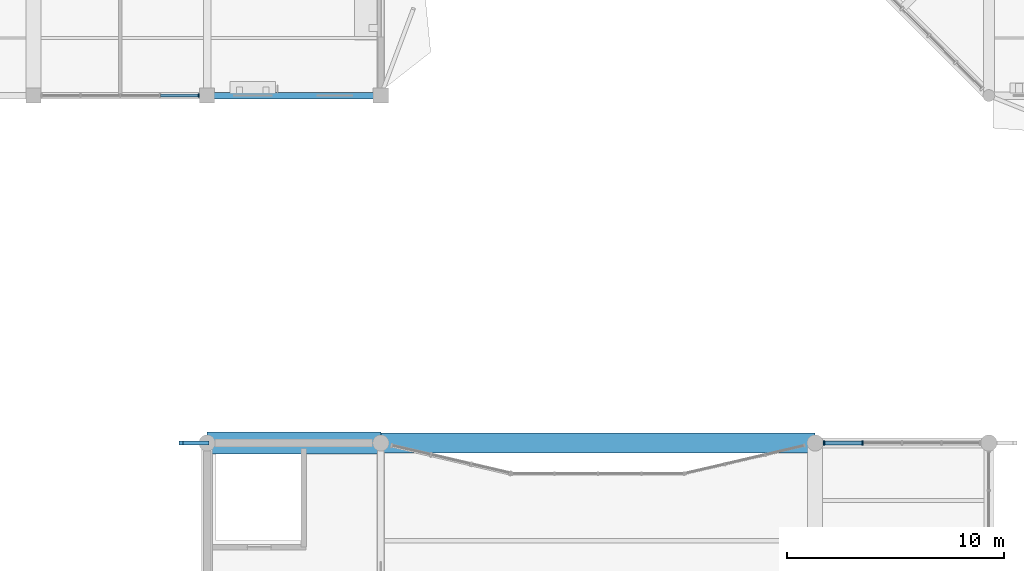
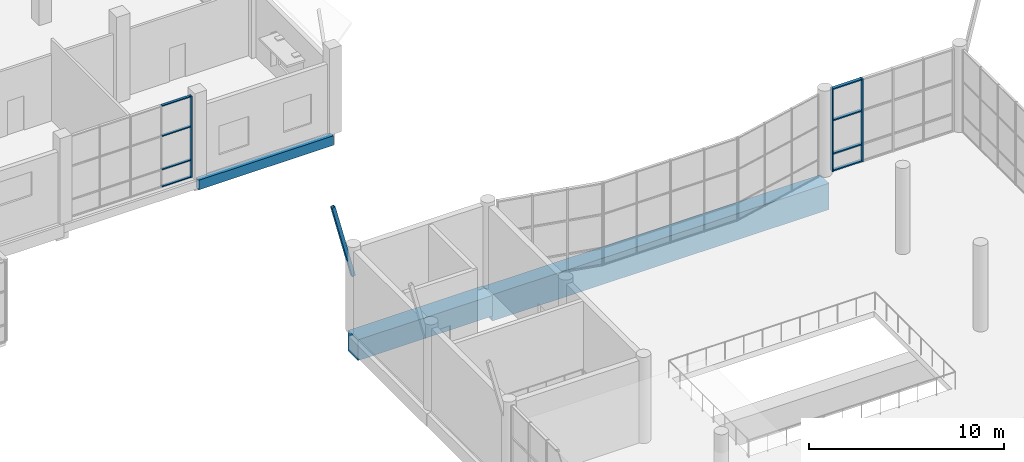
# One storey, part 40 of 122: 12 members, 3 beams, 2 elements without a shape of their own.
"""IFC4 building model written with IfcOpenShell, lengths in metres."""

from ifc_helpers import new_model, si_unit, direction, frame, origin, origin_2d, place, context, subcontext, project, spatial, rectangle, hollow_rectangle, extrude, material, material_profile, profile_set, type_object, element, aggregate, save


model = new_model("IFC4")

# Units and contexts
model_context = context("Model", 3, precision=1e-05, world=origin(), true_north=direction((0.0, 1.0)))
body_context = subcontext(model_context, "Body", "Model", "MODEL_VIEW")
ifc_project = project(units=[si_unit("LENGTHUNIT", "METRE"), si_unit("AREAUNIT", "SQUARE_METRE"), si_unit("VOLUMEUNIT", "CUBIC_METRE"), si_unit("PLANEANGLEUNIT", "RADIAN"), si_unit("MASSUNIT", "GRAM", prefix="KILO")], contexts=[model_context])

# Site, building, storey
site_placement = place(None, origin())
site = spatial("IfcSite", under=ifc_project, at=site_placement, CompositionType="ELEMENT")
building_placement = place(site_placement, origin())
building = spatial("IfcBuilding", under=site, at=building_placement, Name="Tenunan Teduh Sports Hall", CompositionType="ELEMENT")
storey_placement = place(building_placement, frame((0.0, 0.0, 5.39990234375)))
storey = spatial("IfcBuildingStorey", under=building, at=storey_placement, Name="L01", CompositionType="ELEMENT", Elevation=5.39990234375)

# Beam
ifc_material_1 = material(Name="Concrete C40/50", Category="concrete")
ifc_material_profile_1 = material_profile(ifc_material_1, rectangle(XDim=0.300048828125, YDim=0.60009765625, at=origin_2d()), Name="RCB 300x600")
ifc_profile_set_1 = profile_set([ifc_material_profile_1], Name="Concrete C40/50")
beam_type_1 = type_object("IfcBeamType", Name="BM-RC-300x600", PredefinedType="BEAM", material=ifc_profile_set_1)
beam_1_placement = place(storey_placement, frame((70.0, 86.0, -0.559814453125), z_axis=(1.0, 0.0, 0.0), x_axis=(0.0, 1.0, 0.0)))
element("IfcBeam", 1, at=beam_1_placement, inside=storey, type_object=beam_type_1, Name="BM-B-03-L01-1113", PredefinedType="BEAM", context=body_context, shape_type="SweptSolid", body=[
    extrude(rectangle(XDim=0.300048828125, YDim=0.60009765625, at=origin_2d()), origin(), (0.0, 0.0, 1.0), 8.0),
])

# Curtain wall, member
ifc_material_2 = material(Name="Anodised aluminium", Category="aluminium")
curtain_wall_type = type_object("IfcCurtainWallType", Name="CW-UNIT-1", PredefinedType="NOTDEFINED", material=ifc_material_2)
curtain_wall_1_placement = place(storey_placement, origin())
curtain_wall_1 = element("IfcCurtainWall", 2, at=curtain_wall_1_placement, inside=storey, type_object=curtain_wall_type, Name="CW-CWM-175-L01-202", PredefinedType="NOTDEFINED")
ifc_material_3 = material(Name="Anodised aluminium", Category="aluminium")
ifc_material_profile_2 = material_profile(ifc_material_3, rectangle(XDim=0.06494140625, YDim=0.175048828125, at=origin_2d()), Name="CWM 65x175")
ifc_profile_set_2 = profile_set([ifc_material_profile_2], Name="Anodised aluminium")
member_type_1 = type_object("IfcMemberType", Name="CWM-175", PredefinedType="MULLION", material=ifc_profile_set_2)
member_1_placement = place(storey_placement, frame((69.617431640625, 86.0, 0.0), z_axis=(0.0, 0.0, 1.0), x_axis=(1.0, 0.0, 0.0)))
member_1 = element("IfcMember", 3, at=member_1_placement, type_object=member_type_1, Name="CW-01 mullion 5", PredefinedType="MULLION", context=body_context, shape_type="SweptSolid", body=[
    extrude(rectangle(XDim=0.06494140625, YDim=0.175048828125, at=origin_2d()), origin(), (0.0, 0.0, 1.0), 5.1201171875),
])

# Curtain wall, members
curtain_wall_2_placement = place(storey_placement, origin())
curtain_wall_2 = element("IfcCurtainWall", 4, at=curtain_wall_2_placement, inside=storey, type_object=curtain_wall_type, Name="CW-CWM-220-L01-165", PredefinedType="NOTDEFINED")
ifc_material_4 = material(Name="Anodised aluminium", Category="aluminium")
ifc_material_profile_3 = material_profile(ifc_material_4, rectangle(XDim=0.074951171875, YDim=0.219970703125, at=origin_2d()), Name="CWM 75x220")
ifc_profile_set_3 = profile_set([ifc_material_profile_3], Name="Anodised aluminium")
member_type_2 = type_object("IfcMemberType", Name="CWM-220", PredefinedType="MULLION", material=ifc_profile_set_3)
member_2_placement = place(storey_placement, frame((98.41259765625, 70.0, 0.0), z_axis=(0.0, 0.0, 1.0), x_axis=(1.0, 0.0, 0.0)))
member_2 = element("IfcMember", 5, at=member_2_placement, type_object=member_type_2, Name="CW-01 mullion 1", PredefinedType="MULLION", context=body_context, shape_type="SweptSolid", body=[
    extrude(rectangle(XDim=0.074951171875, YDim=0.219970703125, at=origin_2d()), origin(), (0.0, 0.0, 1.0), 5.2001953125),
])
member_3_placement = place(storey_placement, frame((100.1875, 70.0, 0.0), z_axis=(0.0, 0.0, 1.0), x_axis=(1.0, 0.0, 0.0)))
member_3 = element("IfcMember", 6, at=member_3_placement, type_object=member_type_2, Name="CW-01 mullion 2", PredefinedType="MULLION", context=body_context, shape_type="SweptSolid", body=[
    extrude(rectangle(XDim=0.074951171875, YDim=0.219970703125, at=origin_2d()), origin(), (0.0, 0.0, 1.0), 5.2001953125),
])

# Member
ifc_material_5 = material(Name="Anodised aluminium", Category="aluminium")
ifc_material_profile_4 = material_profile(ifc_material_5, rectangle(XDim=0.06494140625, YDim=0.139892578125, at=origin_2d()), Name="CWT 65x140")
ifc_profile_set_4 = profile_set([ifc_material_profile_4], Name="Anodised aluminium")
member_type_3 = type_object("IfcMemberType", Name="CWT-150", PredefinedType="USERDEFINED", material=ifc_profile_set_4)
member_4_placement = place(storey_placement, frame((67.857421875, 86.0, 0.03271484375), z_axis=(1.0, 0.0, 0.0), x_axis=(0.0, 0.0, 1.0)))
member_4 = element("IfcMember", 7, at=member_4_placement, type_object=member_type_3, Name="CW-01 transom 4.1", ObjectType="TRANSOM", PredefinedType="USERDEFINED", context=body_context, shape_type="SweptSolid", body=[
    extrude(rectangle(XDim=0.06494140625, YDim=0.139892578125, at=origin_2d()), origin(), (0.0, 0.0, 1.0), 1.7275390625),
])

member_5_placement = place(storey_placement, frame((67.857421875, 86.0, 1.10009765625), z_axis=(1.0, 0.0, 0.0), x_axis=(0.0, 0.0, 1.0)))
member_5 = element("IfcMember", 8, at=member_5_placement, type_object=member_type_3, Name="CW-01 transom 4.2", ObjectType="TRANSOM", PredefinedType="USERDEFINED", context=body_context, shape_type="SweptSolid", body=[
    extrude(rectangle(XDim=0.06494140625, YDim=0.139892578125, at=origin_2d()), origin(), (0.0, 0.0, 1.0), 1.7275390625),
])

member_6_placement = place(storey_placement, frame((67.857421875, 86.0, 3.2001953125), z_axis=(1.0, 0.0, 0.0), x_axis=(0.0, 0.0, 1.0)))
member_6 = element("IfcMember", 9, at=member_6_placement, type_object=member_type_3, Name="CW-01 transom 4.3", ObjectType="TRANSOM", PredefinedType="USERDEFINED", context=body_context, shape_type="SweptSolid", body=[
    extrude(rectangle(XDim=0.06494140625, YDim=0.139892578125, at=origin_2d()), origin(), (0.0, 0.0, 1.0), 1.7275390625),
])

member_7_placement = place(storey_placement, frame((67.857421875, 86.0, 5.087646484375), z_axis=(1.0, 0.0, 0.0), x_axis=(0.0, 0.0, 1.0)))
member_7 = element("IfcMember", 10, at=member_7_placement, type_object=member_type_3, Name="CW-01 transom 4.4", ObjectType="TRANSOM", PredefinedType="USERDEFINED", context=body_context, shape_type="SweptSolid", body=[
    extrude(rectangle(XDim=0.06494140625, YDim=0.139892578125, at=origin_2d()), origin(), (0.0, 0.0, 1.0), 1.7275390625),
])

aggregate(curtain_wall_1, [member_1, member_4, member_5, member_6, member_7])

ifc_material_6 = material(Name="Anodised aluminium", Category="aluminium")
ifc_material_profile_5 = material_profile(ifc_material_6, rectangle(XDim=0.074951171875, YDim=0.179931640625, at=origin_2d()), Name="CWT 75x180")
ifc_profile_set_5 = profile_set([ifc_material_profile_5], Name="Anodised aluminium")
member_type_4 = type_object("IfcMemberType", Name="CWT-180", PredefinedType="USERDEFINED", material=ifc_profile_set_5)
member_8_placement = place(storey_placement, frame((98.449951171875, 70.0, 0.03759765625), z_axis=(1.0, 0.0, 0.0), x_axis=(0.0, 0.0, 1.0)))
member_8 = element("IfcMember", 11, at=member_8_placement, type_object=member_type_4, Name="CW-01 transom 1.1", ObjectType="TRANSOM", PredefinedType="USERDEFINED", context=body_context, shape_type="SweptSolid", body=[
    extrude(rectangle(XDim=0.074951171875, YDim=0.179931640625, at=origin_2d()), origin(), (0.0, 0.0, 1.0), 1.699951171875),
])

member_9_placement = place(storey_placement, frame((98.449951171875, 70.0, 1.10009765625), z_axis=(1.0, 0.0, 0.0), x_axis=(0.0, 0.0, 1.0)))
member_9 = element("IfcMember", 12, at=member_9_placement, type_object=member_type_4, Name="CW-01 transom 1.2", ObjectType="TRANSOM", PredefinedType="USERDEFINED", context=body_context, shape_type="SweptSolid", body=[
    extrude(rectangle(XDim=0.074951171875, YDim=0.179931640625, at=origin_2d()), origin(), (0.0, 0.0, 1.0), 1.699951171875),
])

member_10_placement = place(storey_placement, frame((98.449951171875, 70.0, 3.2001953125), z_axis=(1.0, 0.0, 0.0), x_axis=(0.0, 0.0, 1.0)))
member_10 = element("IfcMember", 13, at=member_10_placement, type_object=member_type_4, Name="CW-01 transom 1.3", ObjectType="TRANSOM", PredefinedType="USERDEFINED", context=body_context, shape_type="SweptSolid", body=[
    extrude(rectangle(XDim=0.074951171875, YDim=0.179931640625, at=origin_2d()), origin(), (0.0, 0.0, 1.0), 1.699951171875),
])

member_11_placement = place(storey_placement, frame((98.449951171875, 70.0, 5.16259765625), z_axis=(1.0, 0.0, 0.0), x_axis=(0.0, 0.0, 1.0)))
member_11 = element("IfcMember", 14, at=member_11_placement, type_object=member_type_4, Name="CW-01 transom 1.4", ObjectType="TRANSOM", PredefinedType="USERDEFINED", context=body_context, shape_type="SweptSolid", body=[
    extrude(rectangle(XDim=0.074951171875, YDim=0.179931640625, at=origin_2d()), origin(), (0.0, 0.0, 1.0), 1.699951171875),
])

aggregate(curtain_wall_2, [member_2, member_3, member_8, member_9, member_10, member_11])

ifc_material_7 = material(Name="Steel S355", Category="steel")
ifc_material_profile_6 = material_profile(ifc_material_7, hollow_rectangle(XDim=0.199951171875, YDim=0.199951171875, WallThickness=0.010009765625, at=origin_2d()), Name="SHS 200x200x10.0")
ifc_profile_set_6 = profile_set([ifc_material_profile_6], Name="Steel S355")
member_type_5 = type_object("IfcMemberType", Name="MEM-ST-SHS200", PredefinedType="STRUT", material=ifc_profile_set_6)
member_12_placement = place(storey_placement, frame((70.0, 70.0, 3.400146484375), z_axis=(-0.246390798262, 0.0, 0.969170560083), x_axis=(0.0, -1.0, 0.0)))
element("IfcMember", 15, at=member_12_placement, inside=storey, type_object=member_type_5, Name="MEM-VS-02-L01-0901", PredefinedType="STRUT", context=body_context, shape_type="SweptSolid", body=[
    extrude(hollow_rectangle(XDim=0.199951171875, YDim=0.199951171875, WallThickness=0.010009765625, at=origin_2d()), origin(), (0.0, 0.0, 1.0), 4.8701171875),
])

# Beams
ifc_material_8 = material(Name="Post-tensioned concrete C50/60", Category="concrete")
ifc_material_profile_7 = material_profile(ifc_material_8, rectangle(XDim=1.0, YDim=1.300048828125, at=origin_2d()), Name="PTG 1000x1300")
ifc_profile_set_7 = profile_set([ifc_material_profile_7], Name="Post-tensioned concrete C50/60")
beam_type_2 = type_object("IfcBeamType", Name="PTG-1000x1300", PredefinedType="USERDEFINED", material=ifc_profile_set_7)
beam_2_placement = place(storey_placement, frame((70.0, 70.0, -1.010009765625), z_axis=(1.0, 0.0, 0.0), x_axis=(0.0, 1.0, 0.0)))
element("IfcBeam", 16, at=beam_2_placement, inside=storey, type_object=beam_type_2, Name="Post-Tensioned Transfer Girder BM-PTG-03-L01-0043", ObjectType="TRANSFER GIRDER", PredefinedType="USERDEFINED", context=body_context, shape_type="SweptSolid", body=[
    extrude(rectangle(XDim=1.0, YDim=1.300048828125, at=origin_2d()), origin(), (0.0, 0.0, 1.0), 8.0),
])
ifc_material_9 = material(Name="Post-tensioned concrete C50/60", Category="concrete")
ifc_material_profile_8 = material_profile(ifc_material_9, rectangle(XDim=0.89990234375, YDim=1.64990234375, at=origin_2d()), Name="PTG 900x1650")
ifc_profile_set_8 = profile_set([ifc_material_profile_8], Name="Post-tensioned concrete C50/60")
beam_type_3 = type_object("IfcBeamType", Name="PTG-900x1650", PredefinedType="USERDEFINED", material=ifc_profile_set_8)
beam_3_placement = place(storey_placement, frame((78.0, 70.0, -1.184814453125), z_axis=(1.0, 0.0, 0.0), x_axis=(0.0, 1.0, 0.0)))
element("IfcBeam", 17, at=beam_3_placement, inside=storey, type_object=beam_type_3, Name="Post-Tensioned Transfer Girder BM-PTG-04-L01-0036", ObjectType="TRANSFER GIRDER", PredefinedType="USERDEFINED", context=body_context, shape_type="SweptSolid", body=[
    extrude(rectangle(XDim=0.89990234375, YDim=1.64990234375, at=origin_2d()), origin(), (0.0, 0.0, 1.0), 20.0),
])

save(model, "model.ifc")
